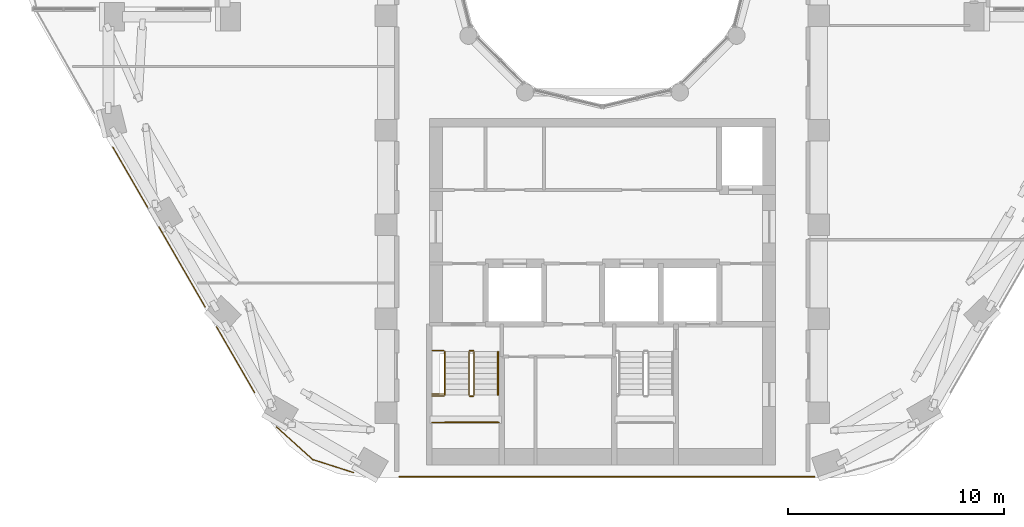
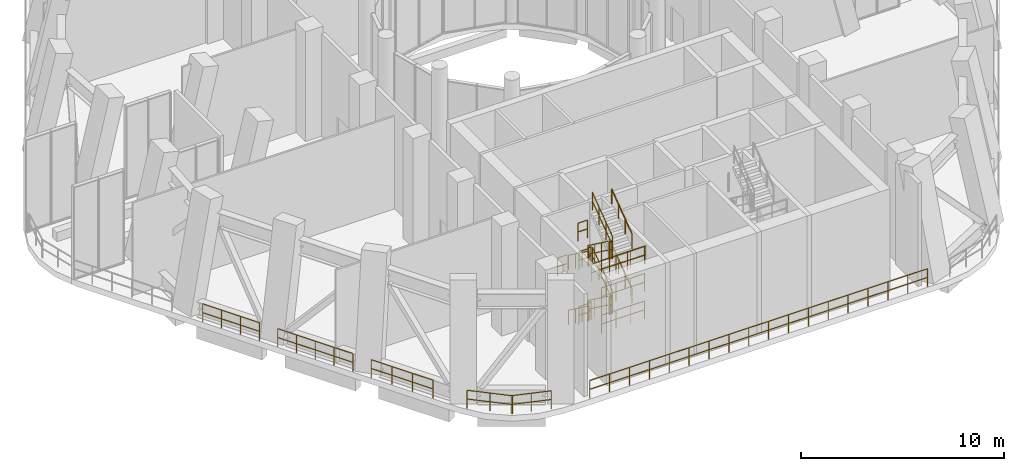
# One storey, part 15 of 19: 26 railings.
"""IFC4 building model written with IfcOpenShell, lengths in metres."""

from ifc_helpers import new_model, si_unit, direction, frame, origin, origin_2d, place, context, subcontext, project, spatial, circle, extrude, material, type_object, element, save


model = new_model("IFC4")

# Units and contexts
model_context = context("Model", 3, precision=1e-05, world=origin(), true_north=direction((0.0, 1.0)))
body_context = subcontext(model_context, "Body", "Model", "MODEL_VIEW")
ifc_project = project(units=[si_unit("LENGTHUNIT", "METRE"), si_unit("AREAUNIT", "SQUARE_METRE"), si_unit("VOLUMEUNIT", "CUBIC_METRE"), si_unit("PLANEANGLEUNIT", "RADIAN"), si_unit("MASSUNIT", "GRAM", prefix="KILO")], contexts=[model_context])

# Site, building, storey
site_placement = place(None, origin())
site = spatial("IfcSite", under=ifc_project, at=site_placement, CompositionType="ELEMENT")
building_placement = place(site_placement, origin())
building = spatial("IfcBuilding", under=site, at=building_placement, Name="Nakaniwa Court", CompositionType="ELEMENT")
storey_placement = place(building_placement, frame((0.0, 0.0, 170.10009765625)))
storey = spatial("IfcBuildingStorey", under=building, at=storey_placement, Name="S3", CompositionType="ELEMENT", Elevation=170.10009765625)

# Railings
ifc_material_1 = material(Name="Black powder-coated steel flat bar balustrade S275", Category="steel")
railing_type_1 = type_object("IfcRailingType", Name="Black metal terrace guard 1100", PredefinedType="GUARDRAIL", material=ifc_material_1)
railing_1_placement = place(storey_placement, frame((57.3798828125, 71.279052734375, 0.0)))
element("IfcRailing", 1, at=railing_1_placement, inside=storey, type_object=railing_type_1, Name="S3 refuge band guard 21", PredefinedType="GUARDRAIL", context=body_context, shape_type="SweptSolid", body=[
    extrude(circle(Radius=0.02392578125, at=origin_2d()), frame((0.0, 0.0, 1.076171875), z_axis=(0.500061562926, -0.865989857495, 0.0), x_axis=(0.865989857495, 0.500061562926, 0.0)), (0.0, 0.0, 1.0), 3.2197265625),
    extrude(circle(Radius=0.02392578125, at=origin_2d()), frame((0.0, 0.0, 0.550048828125), z_axis=(0.500061562926, -0.865989857495, 0.0), x_axis=(0.865989857495, 0.500061562926, 0.0)), (0.0, 0.0, 1.0), 3.2197265625),
    extrude(circle(Radius=0.02099609375, at=origin_2d()), origin(), (0.0, 0.0, 1.0), 1.052001953125),
    extrude(circle(Radius=0.02099609375, at=origin_2d()), frame((0.53662109375, -0.929443359375, 0.0)), (0.0, 0.0, 1.0), 1.052001953125),
    extrude(circle(Radius=0.02099609375, at=origin_2d()), frame((1.073486328125, -1.85888671875, 0.0)), (0.0, 0.0, 1.0), 1.052001953125),
    extrude(circle(Radius=0.02099609375, at=origin_2d()), frame((1.610107421875, -2.788330078125, 0.0)), (0.0, 0.0, 1.0), 1.052001953125),
])
railing_2_placement = place(storey_placement, frame((59.5107421875, 67.58837890625, 0.0)))
element("IfcRailing", 2, at=railing_2_placement, inside=storey, type_object=railing_type_1, Name="S3 refuge band guard 22", PredefinedType="GUARDRAIL", context=body_context, shape_type="SweptSolid", body=[
    extrude(circle(Radius=0.02392578125, at=origin_2d()), frame((0.0, 0.0, 1.076171875), z_axis=(0.500004369671, -0.866022880939, 0.0), x_axis=(0.866022880939, 0.500004369671, 0.0)), (0.0, 0.0, 1.0), 4.27294921875),
    extrude(circle(Radius=0.02392578125, at=origin_2d()), frame((0.0, 0.0, 0.550048828125), z_axis=(0.500004369671, -0.866022880939, 0.0), x_axis=(0.866022880939, 0.500004369671, 0.0)), (0.0, 0.0, 1.0), 4.27294921875),
    extrude(circle(Radius=0.02099609375, at=origin_2d()), origin(), (0.0, 0.0, 1.0), 1.052001953125),
    extrude(circle(Radius=0.02099609375, at=origin_2d()), frame((0.5341796875, -0.925048828125, 0.0)), (0.0, 0.0, 1.0), 1.052001953125),
    extrude(circle(Radius=0.02099609375, at=origin_2d()), frame((1.068359375, -1.85009765625, 0.0)), (0.0, 0.0, 1.0), 1.052001953125),
    extrude(circle(Radius=0.02099609375, at=origin_2d()), frame((1.602294921875, -2.775390625, 0.0)), (0.0, 0.0, 1.0), 1.052001953125),
    extrude(circle(Radius=0.02099609375, at=origin_2d()), frame((2.136474609375, -3.700439453125, 0.0)), (0.0, 0.0, 1.0), 1.052001953125),
])
railing_3_placement = place(storey_placement, frame((62.170654296875, 62.9814453125, 0.0)))
element("IfcRailing", 3, at=railing_3_placement, inside=storey, type_object=railing_type_1, Name="S3 refuge band guard 23", PredefinedType="GUARDRAIL", context=body_context, shape_type="SweptSolid", body=[
    extrude(circle(Radius=0.02392578125, at=origin_2d()), frame((0.0, 0.0, 1.076171875), z_axis=(0.499988652884, -0.866031954946, 0.0), x_axis=(0.866031954946, 0.499988652884, 0.0)), (0.0, 0.0, 1.0), 3.51953125),
    extrude(circle(Radius=0.02392578125, at=origin_2d()), frame((0.0, 0.0, 0.550048828125), z_axis=(0.499988652884, -0.866031954946, 0.0), x_axis=(0.866031954946, 0.499988652884, 0.0)), (0.0, 0.0, 1.0), 3.51953125),
    extrude(circle(Radius=0.02099609375, at=origin_2d()), origin(), (0.0, 0.0, 1.0), 1.052001953125),
    extrude(circle(Radius=0.02099609375, at=origin_2d()), frame((0.586669921875, -1.01611328125, 0.0)), (0.0, 0.0, 1.0), 1.052001953125),
    extrude(circle(Radius=0.02099609375, at=origin_2d()), frame((1.173095703125, -2.031982421875, 0.0)), (0.0, 0.0, 1.0), 1.052001953125),
    extrude(circle(Radius=0.02099609375, at=origin_2d()), frame((1.759765625, -3.048095703125, 0.0)), (0.0, 0.0, 1.0), 1.052001953125),
])
railing_4_placement = place(storey_placement, frame((64.942626953125, 58.35107421875, 0.0)))
element("IfcRailing", 4, at=railing_4_placement, inside=storey, type_object=railing_type_1, Name="S3 refuge band guard 24", PredefinedType="GUARDRAIL", context=body_context, shape_type="SweptSolid", body=[
    extrude(circle(Radius=0.02392578125, at=origin_2d()), frame((0.0, 0.0, 1.076171875), z_axis=(0.743103979406, -0.669175967733, 0.0), x_axis=(0.669175967733, 0.743103979406, 0.0)), (0.0, 0.0, 1.0), 2.298583984375),
    extrude(circle(Radius=0.02392578125, at=origin_2d()), frame((0.0, 0.0, 0.550048828125), z_axis=(0.743103979406, -0.669175967733, 0.0), x_axis=(0.669175967733, 0.743103979406, 0.0)), (0.0, 0.0, 1.0), 2.298583984375),
    extrude(circle(Radius=0.02099609375, at=origin_2d()), origin(), (0.0, 0.0, 1.0), 1.052001953125),
    extrude(circle(Radius=0.02099609375, at=origin_2d()), frame((0.85400390625, -0.76904296875, 0.0)), (0.0, 0.0, 1.0), 1.052001953125),
    extrude(circle(Radius=0.02099609375, at=origin_2d()), frame((1.7080078125, -1.5380859375, 0.0)), (0.0, 0.0, 1.0), 1.052001953125),
])
railing_5_placement = place(storey_placement, frame((66.59521484375, 56.851806640625, 0.0)))
element("IfcRailing", 5, at=railing_5_placement, inside=storey, type_object=railing_type_1, Name="S3 refuge band guard 25", PredefinedType="GUARDRAIL", context=body_context, shape_type="SweptSolid", body=[
    extrude(circle(Radius=0.02392578125, at=origin_2d()), frame((0.0, 0.0, 1.076171875), z_axis=(0.952448096528, -0.304700875319, 0.0), x_axis=(0.304700875319, 0.952448096528, 0.0)), (0.0, 0.0, 1.0), 2.011962890625),
    extrude(circle(Radius=0.02392578125, at=origin_2d()), frame((0.0, 0.0, 0.550048828125), z_axis=(0.952448096528, -0.304700875319, 0.0), x_axis=(0.304700875319, 0.952448096528, 0.0)), (0.0, 0.0, 1.0), 2.011962890625),
    extrude(circle(Radius=0.02099609375, at=origin_2d()), origin(), (0.0, 0.0, 1.0), 1.052001953125),
    extrude(circle(Radius=0.02099609375, at=origin_2d()), frame((0.9580078125, -0.306640625, 0.0)), (0.0, 0.0, 1.0), 1.052001953125),
    extrude(circle(Radius=0.02099609375, at=origin_2d()), frame((1.916259765625, -0.613037109375, 0.0)), (0.0, 0.0, 1.0), 1.052001953125),
])
railing_6_placement = place(storey_placement, frame((70.591796875, 56.050048828125, 0.0)))
element("IfcRailing", 6, at=railing_6_placement, inside=storey, type_object=railing_type_1, Name="S3 refuge band guard 26", PredefinedType="GUARDRAIL", context=body_context, shape_type="SweptSolid", body=[
    extrude(circle(Radius=0.02392578125, at=origin_2d()), frame((0.0, 0.0, 1.076171875), z_axis=(1.0, 0.0, 0.0), x_axis=(0.0, 1.0, 0.0)), (0.0, 0.0, 1.0), 19.21728515625),
    extrude(circle(Radius=0.02392578125, at=origin_2d()), frame((0.0, 0.0, 0.550048828125), z_axis=(1.0, 0.0, 0.0), x_axis=(0.0, 1.0, 0.0)), (0.0, 0.0, 1.0), 19.21728515625),
    extrude(circle(Radius=0.02099609375, at=origin_2d()), origin(), (0.0, 0.0, 1.0), 1.052001953125),
    extrude(circle(Radius=0.02099609375, at=origin_2d()), frame((1.13037109375, 0.0, 0.0)), (0.0, 0.0, 1.0), 1.052001953125),
    extrude(circle(Radius=0.02099609375, at=origin_2d()), frame((2.2607421875, 0.0, 0.0)), (0.0, 0.0, 1.0), 1.052001953125),
    extrude(circle(Radius=0.02099609375, at=origin_2d()), frame((3.391357421875, 0.0, 0.0)), (0.0, 0.0, 1.0), 1.052001953125),
    extrude(circle(Radius=0.02099609375, at=origin_2d()), frame((4.521728515625, 0.0, 0.0)), (0.0, 0.0, 1.0), 1.052001953125),
    extrude(circle(Radius=0.02099609375, at=origin_2d()), frame((5.652099609375, 0.0, 0.0)), (0.0, 0.0, 1.0), 1.052001953125),
    extrude(circle(Radius=0.02099609375, at=origin_2d()), frame((6.782470703125, 0.0, 0.0)), (0.0, 0.0, 1.0), 1.052001953125),
    extrude(circle(Radius=0.02099609375, at=origin_2d()), frame((7.9130859375, 0.0, 0.0)), (0.0, 0.0, 1.0), 1.052001953125),
    extrude(circle(Radius=0.02099609375, at=origin_2d()), frame((9.04345703125, 0.0, 0.0)), (0.0, 0.0, 1.0), 1.052001953125),
    extrude(circle(Radius=0.02099609375, at=origin_2d()), frame((10.173828125, 0.0, 0.0)), (0.0, 0.0, 1.0), 1.052001953125),
    extrude(circle(Radius=0.02099609375, at=origin_2d()), frame((11.30419921875, 0.0, 0.0)), (0.0, 0.0, 1.0), 1.052001953125),
    extrude(circle(Radius=0.02099609375, at=origin_2d()), frame((12.434814453125, 0.0, 0.0)), (0.0, 0.0, 1.0), 1.052001953125),
    extrude(circle(Radius=0.02099609375, at=origin_2d()), frame((13.565185546875, 0.0, 0.0)), (0.0, 0.0, 1.0), 1.052001953125),
    extrude(circle(Radius=0.02099609375, at=origin_2d()), frame((14.695556640625, 0.0, 0.0)), (0.0, 0.0, 1.0), 1.052001953125),
    extrude(circle(Radius=0.02099609375, at=origin_2d()), frame((15.825927734375, 0.0, 0.0)), (0.0, 0.0, 1.0), 1.052001953125),
    extrude(circle(Radius=0.02099609375, at=origin_2d()), frame((16.95654296875, 0.0, 0.0)), (0.0, 0.0, 1.0), 1.052001953125),
    extrude(circle(Radius=0.02099609375, at=origin_2d()), frame((18.0869140625, 0.0, 0.0)), (0.0, 0.0, 1.0), 1.052001953125),
    extrude(circle(Radius=0.02099609375, at=origin_2d()), frame((19.21728515625, 0.0, 0.0)), (0.0, 0.0, 1.0), 1.052001953125),
])
ifc_material_2 = material(Name="Black powder coated steel guard", Category="steel")
railing_type_2 = type_object("IfcRailingType", Name="Stair guard 1100", PredefinedType="GUARDRAIL", material=ifc_material_2)
railing_7_placement = place(storey_placement, frame((73.824951171875, 61.824951171875, 0.183349609375)))
element("IfcRailing", 7, at=railing_7_placement, inside=storey, type_object=railing_type_2, Name="S3 ST3 stair guard 1", PredefinedType="GUARDRAIL", context=body_context, shape_type="SweptSolid", body=[
    extrude(circle(Radius=0.02392578125, at=origin_2d()), frame((0.0, 0.0, 1.076171875), z_axis=(0.0, -0.806426902644, 0.591333789573), x_axis=(1.0, 0.0, 0.0)), (0.0, 0.0, 1.0), 2.47998046875),
    extrude(circle(Radius=0.02392578125, at=origin_2d()), frame((0.0, 0.0, 0.550048828125), z_axis=(0.0, -0.806426902644, 0.591333789573), x_axis=(1.0, 0.0, 0.0)), (0.0, 0.0, 1.0), 2.47998046875),
    extrude(circle(Radius=0.02099609375, at=origin_2d()), origin(), (0.0, 0.0, 1.0), 1.052001953125),
    extrude(circle(Radius=0.02099609375, at=origin_2d()), frame((0.0, -0.666748046875, 0.48876953125)), (0.0, 0.0, 1.0), 1.052001953125),
    extrude(circle(Radius=0.02099609375, at=origin_2d()), frame((0.0, -1.333251953125, 0.977783203125)), (0.0, 0.0, 1.0), 1.052001953125),
    extrude(circle(Radius=0.02099609375, at=origin_2d()), frame((0.0, -2.0, 1.466552734375)), (0.0, 0.0, 1.0), 1.052001953125),
])
railing_8_placement = place(storey_placement, frame((73.875, 59.77490234375, 1.64990234375)))
element("IfcRailing", 8, at=railing_8_placement, inside=storey, type_object=railing_type_2, Name="S3 ST3 stair guard 2", PredefinedType="GUARDRAIL", context=body_context, shape_type="SweptSolid", body=[
    extrude(circle(Radius=0.02392578125, at=origin_2d()), frame((0.0, 0.0, 1.076171875), z_axis=(1.0, 0.0, 0.0), x_axis=(0.0, 1.0, 0.0)), (0.0, 0.0, 1.0), 0.14990234375),
    extrude(circle(Radius=0.02392578125, at=origin_2d()), frame((0.0, 0.0, 0.550048828125), z_axis=(1.0, 0.0, 0.0), x_axis=(0.0, 1.0, 0.0)), (0.0, 0.0, 1.0), 0.14990234375),
    extrude(circle(Radius=0.02099609375, at=origin_2d()), origin(), (0.0, 0.0, 1.0), 1.052001953125),
    extrude(circle(Radius=0.02099609375, at=origin_2d()), frame((0.14990234375, 0.0, 0.0)), (0.0, 0.0, 1.0), 1.052001953125),
])
railing_9_placement = place(storey_placement, frame((74.074951171875, 59.824951171875, 1.833251953125)))
element("IfcRailing", 9, at=railing_9_placement, inside=storey, type_object=railing_type_2, Name="S3 ST3 stair guard 3", PredefinedType="GUARDRAIL", context=body_context, shape_type="SweptSolid", body=[
    extrude(circle(Radius=0.02392578125, at=origin_2d()), frame((0.0, 0.0, 1.076171875), z_axis=(0.0, 0.806426902644, 0.591333789573), x_axis=(-1.0, 0.0, 0.0)), (0.0, 0.0, 1.0), 2.47998046875),
    extrude(circle(Radius=0.02392578125, at=origin_2d()), frame((0.0, 0.0, 0.550048828125), z_axis=(0.0, 0.806426902644, 0.591333789573), x_axis=(-1.0, 0.0, 0.0)), (0.0, 0.0, 1.0), 2.47998046875),
    extrude(circle(Radius=0.02099609375, at=origin_2d()), origin(), (0.0, 0.0, 1.0), 1.052001953125),
    extrude(circle(Radius=0.02099609375, at=origin_2d()), frame((0.0, 0.666748046875, 0.48876953125)), (0.0, 0.0, 1.0), 1.052001953125),
    extrude(circle(Radius=0.02099609375, at=origin_2d()), frame((0.0, 1.333251953125, 0.977783203125)), (0.0, 0.0, 1.0), 1.052001953125),
    extrude(circle(Radius=0.02099609375, at=origin_2d()), frame((0.0, 2.0, 1.466552734375)), (0.0, 0.0, 1.0), 1.052001953125),
])
railing_10_placement = place(storey_placement, frame((73.875, 61.875, 3.2998046875)))
element("IfcRailing", 10, at=railing_10_placement, inside=storey, type_object=railing_type_2, Name="S3 ST3 stair guard 4", PredefinedType="GUARDRAIL", context=body_context, shape_type="SweptSolid", body=[
    extrude(circle(Radius=0.02392578125, at=origin_2d()), frame((0.0, 0.0, 1.076171875), z_axis=(1.0, 0.0, 0.0), x_axis=(0.0, 1.0, 0.0)), (0.0, 0.0, 1.0), 0.14990234375),
    extrude(circle(Radius=0.02392578125, at=origin_2d()), frame((0.0, 0.0, 0.550048828125), z_axis=(1.0, 0.0, 0.0), x_axis=(0.0, 1.0, 0.0)), (0.0, 0.0, 1.0), 0.14990234375),
    extrude(circle(Radius=0.02099609375, at=origin_2d()), origin(), (0.0, 0.0, 1.0), 1.052001953125),
    extrude(circle(Radius=0.02099609375, at=origin_2d()), frame((0.14990234375, 0.0, 0.0)), (0.0, 0.0, 1.0), 1.052001953125),
])
railing_11_placement = place(storey_placement, frame((73.824951171875, 61.824951171875, 3.483154296875)))
element("IfcRailing", 11, at=railing_11_placement, inside=storey, type_object=railing_type_2, Name="S3 ST3 stair guard 5", PredefinedType="GUARDRAIL", context=body_context, shape_type="SweptSolid", body=[
    extrude(circle(Radius=0.02392578125, at=origin_2d()), frame((0.0, 0.0, 1.076171875), z_axis=(0.0, -0.806379959628, 0.591397802423), x_axis=(1.0, 0.0, 0.0)), (0.0, 0.0, 1.0), 2.480224609375),
    extrude(circle(Radius=0.02392578125, at=origin_2d()), frame((0.0, 0.0, 0.550048828125), z_axis=(0.0, -0.806379959628, 0.591397802423), x_axis=(1.0, 0.0, 0.0)), (0.0, 0.0, 1.0), 2.480224609375),
    extrude(circle(Radius=0.02099609375, at=origin_2d()), origin(), (0.0, 0.0, 1.0), 1.052001953125),
    extrude(circle(Radius=0.02099609375, at=origin_2d()), frame((0.0, -0.666748046875, 0.489013671875)), (0.0, 0.0, 1.0), 1.052001953125),
    extrude(circle(Radius=0.02099609375, at=origin_2d()), frame((0.0, -1.333251953125, 0.977783203125)), (0.0, 0.0, 1.0), 1.052001953125),
    extrude(circle(Radius=0.02099609375, at=origin_2d()), frame((0.0, -2.0, 1.466796875)), (0.0, 0.0, 1.0), 1.052001953125),
])
railing_12_placement = place(storey_placement, frame((73.875, 59.77490234375, 4.949951171875)))
element("IfcRailing", 12, at=railing_12_placement, inside=storey, type_object=railing_type_2, Name="S3 ST3 stair guard 6", PredefinedType="GUARDRAIL", context=body_context, shape_type="SweptSolid", body=[
    extrude(circle(Radius=0.02392578125, at=origin_2d()), frame((0.0, 0.0, 1.076171875), z_axis=(1.0, 0.0, 0.0), x_axis=(0.0, 1.0, 0.0)), (0.0, 0.0, 1.0), 0.14990234375),
    extrude(circle(Radius=0.02392578125, at=origin_2d()), frame((0.0, 0.0, 0.550048828125), z_axis=(1.0, 0.0, 0.0), x_axis=(0.0, 1.0, 0.0)), (0.0, 0.0, 1.0), 0.14990234375),
    extrude(circle(Radius=0.02099609375, at=origin_2d()), origin(), (0.0, 0.0, 1.0), 1.052001953125),
    extrude(circle(Radius=0.02099609375, at=origin_2d()), frame((0.14990234375, 0.0, 0.0)), (0.0, 0.0, 1.0), 1.052001953125),
])
railing_13_placement = place(storey_placement, frame((74.074951171875, 59.824951171875, 5.13330078125)))
element("IfcRailing", 13, at=railing_13_placement, inside=storey, type_object=railing_type_2, Name="S3 ST3 stair guard 7", PredefinedType="GUARDRAIL", context=body_context, shape_type="SweptSolid", body=[
    extrude(circle(Radius=0.02392578125, at=origin_2d()), frame((0.0, 0.0, 1.076171875), z_axis=(0.0, 0.806426902644, 0.591333789573), x_axis=(-1.0, 0.0, 0.0)), (0.0, 0.0, 1.0), 2.47998046875),
    extrude(circle(Radius=0.02392578125, at=origin_2d()), frame((0.0, 0.0, 0.550048828125), z_axis=(0.0, 0.806426902644, 0.591333789573), x_axis=(-1.0, 0.0, 0.0)), (0.0, 0.0, 1.0), 2.47998046875),
    extrude(circle(Radius=0.02099609375, at=origin_2d()), origin(), (0.0, 0.0, 1.0), 1.052001953125),
    extrude(circle(Radius=0.02099609375, at=origin_2d()), frame((0.0, 0.666748046875, 0.48876953125)), (0.0, 0.0, 1.0), 1.052001953125),
    extrude(circle(Radius=0.02099609375, at=origin_2d()), frame((0.0, 1.333251953125, 0.977783203125)), (0.0, 0.0, 1.0), 1.052001953125),
    extrude(circle(Radius=0.02099609375, at=origin_2d()), frame((0.0, 2.0, 1.466552734375)), (0.0, 0.0, 1.0), 1.052001953125),
])
railing_14_placement = place(storey_placement, frame((73.875, 61.875, 0.0)))
element("IfcRailing", 14, at=railing_14_placement, inside=storey, type_object=railing_type_2, Name="S3 ST3 stair guard 8", PredefinedType="GUARDRAIL", context=body_context, shape_type="SweptSolid", body=[
    extrude(circle(Radius=0.02392578125, at=origin_2d()), frame((0.0, 0.0, 1.076171875), z_axis=(1.0, 0.0, 0.0), x_axis=(0.0, 1.0, 0.0)), (0.0, 0.0, 1.0), 0.14990234375),
    extrude(circle(Radius=0.02392578125, at=origin_2d()), frame((0.0, 0.0, 0.550048828125), z_axis=(1.0, 0.0, 0.0), x_axis=(0.0, 1.0, 0.0)), (0.0, 0.0, 1.0), 0.14990234375),
    extrude(circle(Radius=0.02099609375, at=origin_2d()), origin(), (0.0, 0.0, 1.0), 1.052001953125),
    extrude(circle(Radius=0.02099609375, at=origin_2d()), frame((0.14990234375, 0.0, 0.0)), (0.0, 0.0, 1.0), 1.052001953125),
])
for number, where, name in (
    (15, (72.125, 59.77490234375, 1.64990234375), "S3 ST3 landing side guard 1W"),
    (16, (72.125, 61.875, 3.2998046875), "S3 ST3 landing side guard 2W"),
):
    element("IfcRailing", number, at=place(storey_placement, frame(where)), inside=storey, type_object=railing_type_2, Name=name, PredefinedType="GUARDRAIL", context=body_context, shape_type="SweptSolid", body=[
        extrude(circle(Radius=0.02392578125, at=origin_2d()), frame((0.0, 0.0, 1.076171875), z_axis=(1.0, 0.0, 0.0), x_axis=(0.0, 1.0, 0.0)), (0.0, 0.0, 1.0), 0.550048828125),
        extrude(circle(Radius=0.02392578125, at=origin_2d()), frame((0.0, 0.0, 0.550048828125), z_axis=(1.0, 0.0, 0.0), x_axis=(0.0, 1.0, 0.0)), (0.0, 0.0, 1.0), 0.550048828125),
        extrude(circle(Radius=0.02099609375, at=origin_2d()), origin(), (0.0, 0.0, 1.0), 1.052001953125),
        extrude(circle(Radius=0.02099609375, at=origin_2d()), frame((0.550048828125, 0.0, 0.0)), (0.0, 0.0, 1.0), 1.052001953125),
    ])
railing_15_placement = place(storey_placement, frame((72.125, 58.550048828125, 4.949951171875)))
element("IfcRailing", 17, at=railing_15_placement, inside=storey, type_object=railing_type_2, Name="S3 ST3 landing end guard 3", PredefinedType="GUARDRAIL", context=body_context, shape_type="SweptSolid", body=[
    extrude(circle(Radius=0.02392578125, at=origin_2d()), frame((0.0, 0.0, 1.076171875), z_axis=(1.0, 0.0, 0.0), x_axis=(0.0, 1.0, 0.0)), (0.0, 0.0, 1.0), 3.10009765625),
    extrude(circle(Radius=0.02392578125, at=origin_2d()), frame((0.0, 0.0, 0.550048828125), z_axis=(1.0, 0.0, 0.0), x_axis=(0.0, 1.0, 0.0)), (0.0, 0.0, 1.0), 3.10009765625),
    extrude(circle(Radius=0.02099609375, at=origin_2d()), origin(), (0.0, 0.0, 1.0), 1.052001953125),
    extrude(circle(Radius=0.02099609375, at=origin_2d()), frame((1.033447265625, 0.0, 0.0)), (0.0, 0.0, 1.0), 1.052001953125),
    extrude(circle(Radius=0.02099609375, at=origin_2d()), frame((2.066650390625, 0.0, 0.0)), (0.0, 0.0, 1.0), 1.052001953125),
    extrude(circle(Radius=0.02099609375, at=origin_2d()), frame((3.10009765625, 0.0, 0.0)), (0.0, 0.0, 1.0), 1.052001953125),
])
for number, where, name in (
    (18, (72.125, 59.77490234375, 4.949951171875), "S3 ST3 landing side guard 3W"),
    (19, (72.125, 59.875, 6.599853515625), "S3 ST3 floor edge guard 3W"),
):
    element("IfcRailing", number, at=place(storey_placement, frame(where)), inside=storey, type_object=railing_type_2, Name=name, PredefinedType="GUARDRAIL", context=body_context, shape_type="SweptSolid", body=[
        extrude(circle(Radius=0.02392578125, at=origin_2d()), frame((0.0, 0.0, 1.076171875), z_axis=(1.0, 0.0, 0.0), x_axis=(0.0, 1.0, 0.0)), (0.0, 0.0, 1.0), 0.550048828125),
        extrude(circle(Radius=0.02392578125, at=origin_2d()), frame((0.0, 0.0, 0.550048828125), z_axis=(1.0, 0.0, 0.0), x_axis=(0.0, 1.0, 0.0)), (0.0, 0.0, 1.0), 0.550048828125),
        extrude(circle(Radius=0.02099609375, at=origin_2d()), origin(), (0.0, 0.0, 1.0), 1.052001953125),
        extrude(circle(Radius=0.02099609375, at=origin_2d()), frame((0.550048828125, 0.0, 0.0)), (0.0, 0.0, 1.0), 1.052001953125),
    ])
for number, where, name in (
    (20, (72.72509765625, 58.574951171875, 1.64990234375), "S3 ST3 stair far guard 1"),
    (21, (72.72509765625, 58.574951171875, 3.2998046875), "S3 ST3 stair far guard 2"),
    (22, (72.72509765625, 58.574951171875, 4.949951171875), "S3 ST3 stair far guard 3"),
):
    element("IfcRailing", number, at=place(storey_placement, frame(where)), inside=storey, type_object=railing_type_2, Name=name, PredefinedType="GUARDRAIL", context=body_context, shape_type="SweptSolid", body=[
        extrude(circle(Radius=0.02392578125, at=origin_2d()), frame((0.0, 0.0, 1.076171875), z_axis=(1.0, 0.0, 0.0), x_axis=(0.0, 1.0, 0.0)), (0.0, 0.0, 1.0), 2.449951171875),
        extrude(circle(Radius=0.02392578125, at=origin_2d()), frame((0.0, 0.0, 0.550048828125), z_axis=(1.0, 0.0, 0.0), x_axis=(0.0, 1.0, 0.0)), (0.0, 0.0, 1.0), 2.449951171875),
        extrude(circle(Radius=0.02099609375, at=origin_2d()), origin(), (0.0, 0.0, 1.0), 1.052001953125),
        extrude(circle(Radius=0.02099609375, at=origin_2d()), frame((0.816650390625, 0.0, 0.0)), (0.0, 0.0, 1.0), 1.052001953125),
        extrude(circle(Radius=0.02099609375, at=origin_2d()), frame((1.63330078125, 0.0, 0.0)), (0.0, 0.0, 1.0), 1.052001953125),
        extrude(circle(Radius=0.02099609375, at=origin_2d()), frame((2.449951171875, 0.0, 0.0)), (0.0, 0.0, 1.0), 1.052001953125),
    ])
ifc_material_3 = material(Name="Black powder coated steel handrail", Category="steel")
railing_type_3 = type_object("IfcRailingType", Name="Stair handrail 900", PredefinedType="HANDRAIL", material=ifc_material_3)
railing_16_placement = place(storey_placement, frame((72.72509765625, 61.824951171875, 0.183349609375)))
element("IfcRailing", 23, at=railing_16_placement, inside=storey, type_object=railing_type_3, Name="S3 ST3 stair handrail 1", PredefinedType="HANDRAIL", context=body_context, shape_type="SweptSolid", body=[
    extrude(circle(Radius=0.02392578125, at=origin_2d()), frame((0.0, 0.0, 0.8759765625), z_axis=(0.0, -0.806426902644, 0.591333789573), x_axis=(1.0, 0.0, 0.0)), (0.0, 0.0, 1.0), 2.47998046875),
    extrude(circle(Radius=0.02099609375, at=origin_2d()), origin(), (0.0, 0.0, 1.0), 0.851806640625),
    extrude(circle(Radius=0.02099609375, at=origin_2d()), frame((0.0, -0.666748046875, 0.48876953125)), (0.0, 0.0, 1.0), 0.851806640625),
    extrude(circle(Radius=0.02099609375, at=origin_2d()), frame((0.0, -1.333251953125, 0.977783203125)), (0.0, 0.0, 1.0), 0.851806640625),
    extrude(circle(Radius=0.02099609375, at=origin_2d()), frame((0.0, -2.0, 1.466552734375)), (0.0, 0.0, 1.0), 0.851806640625),
])
railing_17_placement = place(storey_placement, frame((75.175048828125, 59.824951171875, 1.833251953125)))
element("IfcRailing", 24, at=railing_17_placement, inside=storey, type_object=railing_type_3, Name="S3 ST3 stair handrail 2", PredefinedType="HANDRAIL", context=body_context, shape_type="SweptSolid", body=[
    extrude(circle(Radius=0.02392578125, at=origin_2d()), frame((0.0, 0.0, 0.8759765625), z_axis=(0.0, 0.806426902644, 0.591333789573), x_axis=(-1.0, 0.0, 0.0)), (0.0, 0.0, 1.0), 2.47998046875),
    extrude(circle(Radius=0.02099609375, at=origin_2d()), origin(), (0.0, 0.0, 1.0), 0.851806640625),
    extrude(circle(Radius=0.02099609375, at=origin_2d()), frame((0.0, 0.666748046875, 0.48876953125)), (0.0, 0.0, 1.0), 0.851806640625),
    extrude(circle(Radius=0.02099609375, at=origin_2d()), frame((0.0, 1.333251953125, 0.977783203125)), (0.0, 0.0, 1.0), 0.851806640625),
    extrude(circle(Radius=0.02099609375, at=origin_2d()), frame((0.0, 2.0, 1.466552734375)), (0.0, 0.0, 1.0), 0.851806640625),
])
railing_18_placement = place(storey_placement, frame((72.72509765625, 61.824951171875, 3.483154296875)))
element("IfcRailing", 25, at=railing_18_placement, inside=storey, type_object=railing_type_3, Name="S3 ST3 stair handrail 3", PredefinedType="HANDRAIL", context=body_context, shape_type="SweptSolid", body=[
    extrude(circle(Radius=0.02392578125, at=origin_2d()), frame((0.0, 0.0, 0.8759765625), z_axis=(0.0, -0.806379959628, 0.591397802423), x_axis=(1.0, 0.0, 0.0)), (0.0, 0.0, 1.0), 2.480224609375),
    extrude(circle(Radius=0.02099609375, at=origin_2d()), origin(), (0.0, 0.0, 1.0), 0.851806640625),
    extrude(circle(Radius=0.02099609375, at=origin_2d()), frame((0.0, -0.666748046875, 0.489013671875)), (0.0, 0.0, 1.0), 0.851806640625),
    extrude(circle(Radius=0.02099609375, at=origin_2d()), frame((0.0, -1.333251953125, 0.977783203125)), (0.0, 0.0, 1.0), 0.851806640625),
    extrude(circle(Radius=0.02099609375, at=origin_2d()), frame((0.0, -2.0, 1.466796875)), (0.0, 0.0, 1.0), 0.851806640625),
])
railing_19_placement = place(storey_placement, frame((75.175048828125, 59.824951171875, 5.13330078125)))
element("IfcRailing", 26, at=railing_19_placement, inside=storey, type_object=railing_type_3, Name="S3 ST3 stair handrail 4", PredefinedType="HANDRAIL", context=body_context, shape_type="SweptSolid", body=[
    extrude(circle(Radius=0.02392578125, at=origin_2d()), frame((0.0, 0.0, 0.8759765625), z_axis=(0.0, 0.806426902644, 0.591333789573), x_axis=(-1.0, 0.0, 0.0)), (0.0, 0.0, 1.0), 2.47998046875),
    extrude(circle(Radius=0.02099609375, at=origin_2d()), origin(), (0.0, 0.0, 1.0), 0.851806640625),
    extrude(circle(Radius=0.02099609375, at=origin_2d()), frame((0.0, 0.666748046875, 0.48876953125)), (0.0, 0.0, 1.0), 0.851806640625),
    extrude(circle(Radius=0.02099609375, at=origin_2d()), frame((0.0, 1.333251953125, 0.977783203125)), (0.0, 0.0, 1.0), 0.851806640625),
    extrude(circle(Radius=0.02099609375, at=origin_2d()), frame((0.0, 2.0, 1.466552734375)), (0.0, 0.0, 1.0), 0.851806640625),
])

save(model, "model.ifc")
